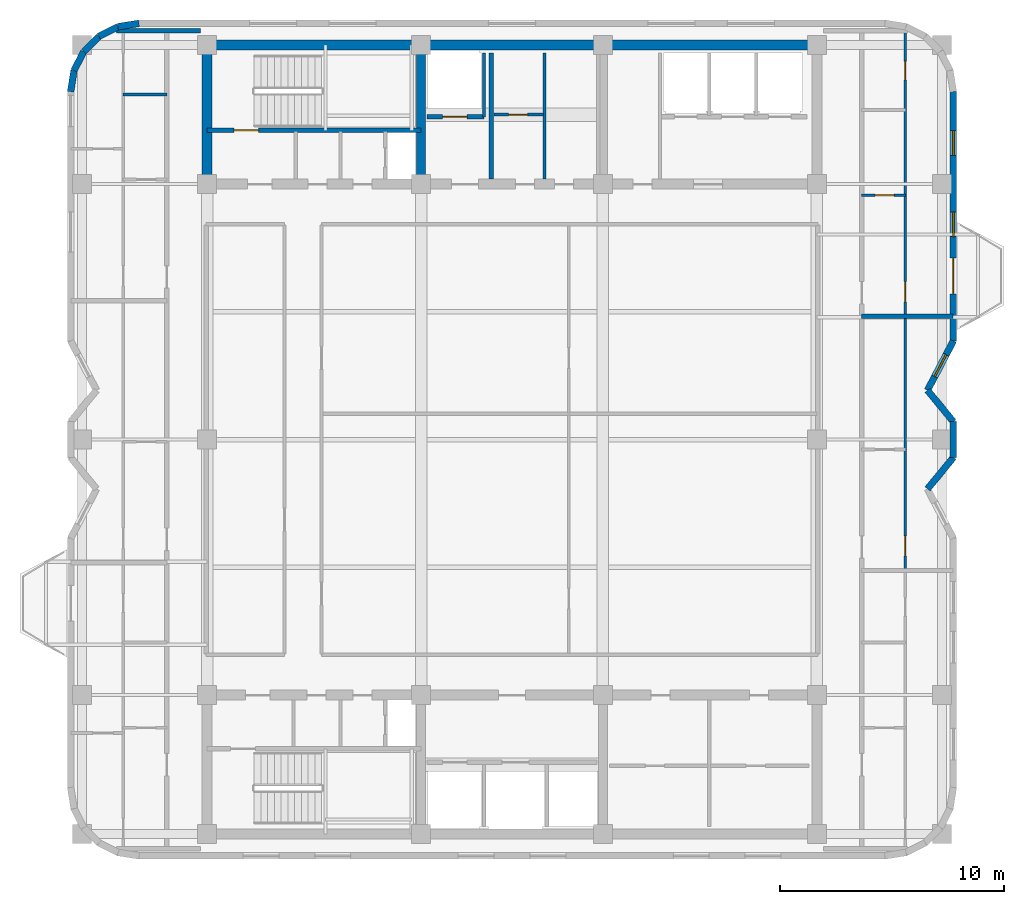
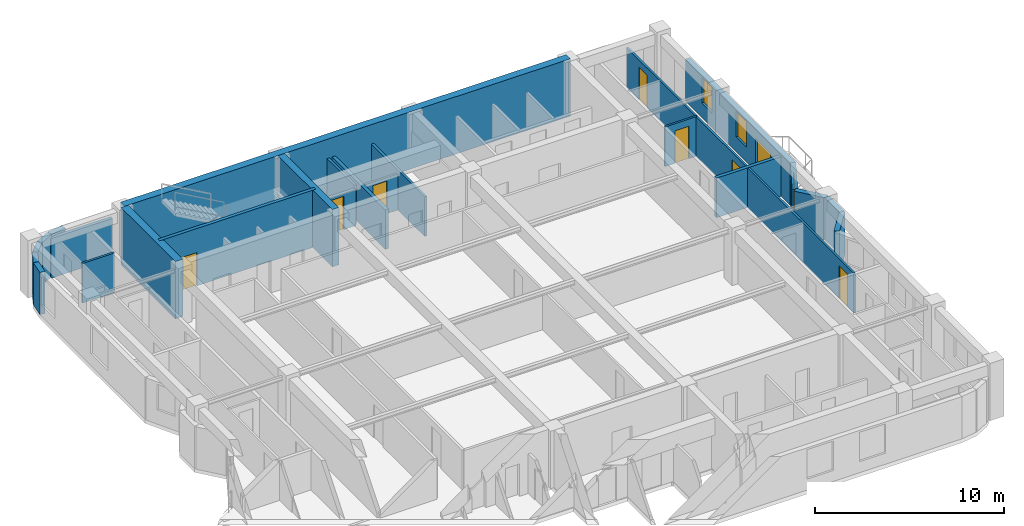
# One storey, part 6 of 9: 25 walls, 8 doors, 3 windows, 11 openings.
"""IFC4 building model written with IfcOpenShell, lengths in metres."""

from ifc_helpers import new_model, si_unit, direction, frame, frame_2d, origin, place, context, subcontext, project, spatial, rectangle, extrude, material, layer, layer_set, type_object, element, fill, save


model = new_model("IFC4")

# Units and contexts
model_context = context("Model", 3, precision=1e-05, world=origin(), true_north=direction((0.0, 1.0)))
body_context = subcontext(model_context, "Body", "Model", "MODEL_VIEW")
ifc_project = project(units=[si_unit("LENGTHUNIT", "METRE"), si_unit("AREAUNIT", "SQUARE_METRE"), si_unit("VOLUMEUNIT", "CUBIC_METRE"), si_unit("PLANEANGLEUNIT", "RADIAN"), si_unit("MASSUNIT", "GRAM", prefix="KILO")], contexts=[model_context])

# Site, building, storey
site_placement = place(None, origin())
site = spatial("IfcSite", under=ifc_project, at=site_placement, CompositionType="ELEMENT")
building_placement = place(site_placement, origin())
building = spatial("IfcBuilding", under=site, at=building_placement, Name="Svetorya Sky Lyceum", CompositionType="ELEMENT")
storey_placement = place(building_placement, frame((0.0, 0.0, 244.300048828125)))
storey = spatial("IfcBuildingStorey", under=building, at=storey_placement, Name="L61", CompositionType="ELEMENT", Elevation=244.300048828125)

# Walls
ifc_material_1 = material(Name="Concrete C40/50", Category="concrete")
ifc_layer_1 = layer(ifc_material_1, 0.39990234375)
ifc_layer_set_1 = layer_set([ifc_layer_1], Name="Concrete C40/50")
wall_type_1 = type_object("IfcWallType", Name="WL-CORE-400", PredefinedType="SHEAR", material=ifc_layer_set_1)
wall_1_placement = place(storey_placement, frame((35.14990234375, 39.824951171875, 0.0), z_axis=(0.0, 0.0, 1.0), x_axis=(0.0, 1.0, 0.0)))
element("IfcWall", 1, at=wall_1_placement, inside=storey, type_object=wall_type_1, Name="L61 NC Internal Shear Web WEB1", PredefinedType="SHEAR", context=body_context, shape_type="SweptSolid", body=[
    extrude(rectangle(XDim=5.75, YDim=0.39990234375, at=frame_2d((2.875, 0.0))), origin(), (0.0, 0.0, 1.0), 3.699951171875),
])
ifc_material_2 = material(Name="Concrete C50/60", Category="concrete")
ifc_layer_2 = layer(ifc_material_2, 0.449951171875)
ifc_layer_set_2 = layer_set([ifc_layer_2], Name="Concrete C50/60")
wall_type_2 = type_object("IfcWallType", Name="WL-CORE-450", PredefinedType="SHEAR", material=ifc_layer_set_2)
wall_2_placement = place(storey_placement, frame((25.60009765625, 45.800048828125, 0.0), z_axis=(0.0, 0.0, 1.0), x_axis=(1.0, 0.0, 0.0)))
element("IfcWall", 2, at=wall_2_placement, inside=storey, type_object=wall_type_2, Name="L61 NC Outer Core Shear Wall", PredefinedType="SHEAR", context=body_context, shape_type="SweptSolid", body=[
    extrude(rectangle(XDim=27.199951171875, YDim=0.449951171875, at=frame_2d((13.60009765625, 0.0))), origin(), (0.0, 0.0, 1.0), 3.699951171875),
])
wall_3_placement = place(storey_placement, frame((25.60009765625, 39.824951171875, 0.0), z_axis=(0.0, 0.0, 1.0), x_axis=(0.0, 1.0, 0.0)))
element("IfcWall", 3, at=wall_3_placement, inside=storey, type_object=wall_type_2, Name="L61 NC West Core Shear Wall", PredefinedType="SHEAR", context=body_context, shape_type="SweptSolid", body=[
    extrude(rectangle(XDim=5.75, YDim=0.449951171875, at=frame_2d((2.875, 0.0))), origin(), (0.0, 0.0, 1.0), 3.699951171875),
])
ifc_material_3 = material(Name="Putilovo limestone rainscreen on autoclaved cellular masonry", Category="masonry")
ifc_layer_3 = layer(ifc_material_3, 0.300048828125)
ifc_layer_set_3 = layer_set([ifc_layer_3], Name="Putilovo limestone rainscreen on autoclaved cellular masonry")
wall_type_3 = type_object("IfcWallType", Name="WL-EXT-300", PredefinedType="SOLIDWALL", material=ifc_layer_set_3)
wall_4_placement = place(storey_placement, frame((57.739990234375, 26.0, 0.0), z_axis=(0.0, 0.0, 1.0), x_axis=(0.634733675645, 0.772730975827, 0.0)))
element("IfcWall", 4, at=wall_4_placement, inside=storey, type_object=wall_type_3, Name="L61 Limestone Exterior Wall 14M", PredefinedType="SOLIDWALL", context=body_context, shape_type="SweptSolid", body=[
    extrude(rectangle(XDim=1.8115234375, YDim=0.300048828125, at=frame_2d((0.90576171875, 0.0))), origin(), (0.0, 0.0, 1.0), 2.72998046875),
])
wall_5_placement = place(storey_placement, frame((58.889892578125, 27.39990234375, 0.0), z_axis=(0.0, 0.0, 1.0), x_axis=(0.0, 1.0, 0.0)))
element("IfcWall", 5, at=wall_5_placement, inside=storey, type_object=wall_type_3, Name="L61 Limestone Exterior Wall 15M", PredefinedType="SOLIDWALL", context=body_context, shape_type="SweptSolid", body=[
    extrude(rectangle(XDim=1.60009765625, YDim=0.300048828125, at=frame_2d((0.800048828125, 0.0))), origin(), (0.0, 0.0, 1.0), 2.72998046875),
])
wall_6_placement = place(storey_placement, frame((58.889892578125, 29.0, 0.0), z_axis=(0.0, 0.0, 1.0), x_axis=(-0.634733675645, 0.772730975827, 0.0)))
element("IfcWall", 6, at=wall_6_placement, inside=storey, type_object=wall_type_3, Name="L61 Limestone Exterior Wall 16M", PredefinedType="SOLIDWALL", context=body_context, shape_type="SweptSolid", body=[
    extrude(rectangle(XDim=1.8115234375, YDim=0.300048828125, at=frame_2d((0.90576171875, 0.0))), origin(), (0.0, 0.0, 1.0), 2.72998046875),
])

# Wall, opening, window
wall_7_placement = place(storey_placement, frame((57.739990234375, 30.39990234375, 0.0), z_axis=(0.0, 0.0, 1.0), x_axis=(0.463191013929, 0.88625847506, 0.0)))
wall_7 = element("IfcWall", 7, at=wall_7_placement, inside=storey, type_object=wall_type_3, Name="L61 Limestone Exterior Wall 17M", PredefinedType="SOLIDWALL", context=body_context, shape_type="SweptSolid", body=[
    extrude(rectangle(XDim=2.482666015625, YDim=0.300048828125, at=frame_2d((1.2412109375, 0.0))), origin(), (0.0, 0.0, 1.0), 2.72998046875),
])
opening_1_placement = place(wall_7_placement, frame((0.691162109375, 0.0, 0.919921875)))
opening_1 = element("IfcOpeningElement", 8, at=opening_1_placement, cuts=wall_7, Name="Opening W-R3", PredefinedType="OPENING", context=body_context, shape_type="SweptSolid", body=[
    extrude(rectangle(XDim=1.10009765625, YDim=1.64990234375, at=frame_2d((0.550048828125, 0.824951171875))), frame((0.0, 0.159912109375, 0.0), z_axis=(0.0, -1.0, 0.0), x_axis=(1.0, 0.0, 0.0)), (0.0, 0.0, 1.0), 0.320068359375),
])
ifc_material_4 = material(Name="Thermally broken aluminium frame with triple low-E glazing", Category="aluminium")
window_type = type_object("IfcWindowType", Name="WN-RES-110", PartitioningType="SINGLE_PANEL", PredefinedType="WINDOW", material=ifc_material_4)
window_1_placement = place(opening_1_placement, origin())
window_1 = element("IfcWindow", 9, at=window_1_placement, inside=storey, type_object=window_type, Name="L61 Facade Window W-R3.17M.1", OverallHeight=1.64990234375, OverallWidth=1.10009765625, PartitioningType="SINGLE_PANEL", PredefinedType="WINDOW", context=body_context, shape_type="SweptSolid", body=[
    extrude(rectangle(XDim=1.10009765625, YDim=1.64990234375, at=frame_2d((0.550048828125, 0.824951171875))), frame((0.0, 0.030029296875, 0.0), z_axis=(0.0, -1.0, 0.0), x_axis=(1.0, 0.0, 0.0)), (0.0, 0.0, 1.0), 0.06005859375),
])
fill(opening_1, window_1)

# Wall, openings, door, windows
wall_8_placement = place(storey_placement, frame((58.889892578125, 32.60009765625, 0.0), z_axis=(0.0, 0.0, 1.0), x_axis=(0.0, 1.0, 0.0)))
wall_8 = element("IfcWall", 10, at=wall_8_placement, inside=storey, type_object=wall_type_3, Name="L61 Limestone Exterior Wall 18M", PredefinedType="SOLIDWALL", context=body_context, shape_type="SweptSolid", body=[
    extrude(rectangle(XDim=11.119873046875, YDim=0.300048828125, at=frame_2d((5.56005859375, 0.0))), origin(), (0.0, 0.0, 1.0), 2.72998046875),
])
opening_2_placement = place(wall_8_placement, frame((2.10009765625, 0.0, 0.0)))
opening_2 = element("IfcOpeningElement", 11, at=opening_2_placement, cuts=wall_8, Name="Opening D-BL1", PredefinedType="OPENING", context=body_context, shape_type="SweptSolid", body=[
    extrude(rectangle(XDim=1.60009765625, YDim=2.10009765625, at=frame_2d((0.800048828125, 1.050048828125))), frame((0.0, 0.159912109375, 0.0), z_axis=(0.0, -1.0, 0.0), x_axis=(1.0, 0.0, 0.0)), (0.0, 0.0, 1.0), 0.320068359375),
])
opening_3_placement = place(wall_8_placement, frame((4.659912109375, 0.0, 0.949951171875)))
opening_3 = element("IfcOpeningElement", 12, at=opening_3_placement, cuts=wall_8, Name="Opening W-R3", PredefinedType="OPENING", context=body_context, shape_type="SweptSolid", body=[
    extrude(rectangle(XDim=1.10009765625, YDim=1.64990234375, at=frame_2d((0.550048828125, 0.824951171875))), frame((0.0, 0.159912109375, 0.0), z_axis=(0.0, -1.0, 0.0), x_axis=(1.0, 0.0, 0.0)), (0.0, 0.0, 1.0), 0.320068359375),
])
opening_4_placement = place(wall_8_placement, frame((8.283203125, 0.0, 0.949951171875)))
opening_4 = element("IfcOpeningElement", 13, at=opening_4_placement, cuts=wall_8, Name="Opening W-R3", PredefinedType="OPENING", context=body_context, shape_type="SweptSolid", body=[
    extrude(rectangle(XDim=1.10009765625, YDim=1.64990234375, at=frame_2d((0.550048828125, 0.824951171875))), frame((0.0, 0.159912109375, 0.0), z_axis=(0.0, -1.0, 0.0), x_axis=(1.0, 0.0, 0.0)), (0.0, 0.0, 1.0), 0.320068359375),
])
ifc_material_5 = material(Name="Insulated glazed aluminium balcony door", Category="aluminium")
door_type_1 = type_object("IfcDoorType", Name="DR-BAL-1600", OperationType="DOUBLE_DOOR_SINGLE_SWING", PredefinedType="DOOR", material=ifc_material_5)
door_1_placement = place(opening_2_placement, origin())
door_1 = element("IfcDoor", 14, at=door_1_placement, inside=storey, type_object=door_type_1, Name="L61 Balcony BAL-E1 Door", OperationType="DOUBLE_DOOR_SINGLE_SWING", OverallHeight=2.10009765625, OverallWidth=1.60009765625, PredefinedType="DOOR", context=body_context, shape_type="SweptSolid", body=[
    extrude(rectangle(XDim=1.60009765625, YDim=2.10009765625, at=frame_2d((0.800048828125, 1.050048828125))), frame((0.0, 0.02490234375, 0.0), z_axis=(0.0, -1.0, 0.0), x_axis=(1.0, 0.0, 0.0)), (0.0, 0.0, 1.0), 0.050048828125),
])
fill(opening_2, door_1)
window_2_placement = place(opening_3_placement, origin())
window_2 = element("IfcWindow", 15, at=window_2_placement, inside=storey, type_object=window_type, Name="L61 Facade Window W-R3.18M.1", OverallHeight=1.64990234375, OverallWidth=1.10009765625, PartitioningType="SINGLE_PANEL", PredefinedType="WINDOW", context=body_context, shape_type="SweptSolid", body=[
    extrude(rectangle(XDim=1.10009765625, YDim=1.64990234375, at=frame_2d((0.550048828125, 0.824951171875))), frame((0.0, 0.030029296875, 0.0), z_axis=(0.0, -1.0, 0.0), x_axis=(1.0, 0.0, 0.0)), (0.0, 0.0, 1.0), 0.06005859375),
])
fill(opening_3, window_2)
window_3_placement = place(opening_4_placement, origin())
window_3 = element("IfcWindow", 16, at=window_3_placement, inside=storey, type_object=window_type, Name="L61 Facade Window W-R3.18M.2", OverallHeight=1.64990234375, OverallWidth=1.10009765625, PartitioningType="SINGLE_PANEL", PredefinedType="WINDOW", context=body_context, shape_type="SweptSolid", body=[
    extrude(rectangle(XDim=1.10009765625, YDim=1.64990234375, at=frame_2d((0.550048828125, 0.824951171875))), frame((0.0, 0.030029296875, 0.0), z_axis=(0.0, -1.0, 0.0), x_axis=(1.0, 0.0, 0.0)), (0.0, 0.0, 1.0), 0.06005859375),
])
fill(opening_4, window_3)

# Walls
wall_9_placement = place(storey_placement, frame((22.56005859375, 46.77001953125, 0.0), z_axis=(0.0, 0.0, 1.0), x_axis=(-0.987669453596, -0.156553666304, 0.0)))
element("IfcWall", 17, at=wall_9_placement, inside=storey, type_object=wall_type_3, Name="L61 Limestone Exterior Wall 25M", PredefinedType="SOLIDWALL", context=body_context, shape_type="SweptSolid", body=[
    extrude(rectangle(XDim=0.954345703125, YDim=0.300048828125, at=frame_2d((0.47705078125, 0.0))), origin(), (0.0, 0.0, 1.0), 2.72998046875),
])
wall_10_placement = place(storey_placement, frame((21.617431640625, 46.62060546875, 0.0), z_axis=(0.0, 0.0, 1.0), x_axis=(-0.891023873617, -0.45395644796, 0.0)))
element("IfcWall", 18, at=wall_10_placement, inside=storey, type_object=wall_type_3, Name="L61 Limestone Exterior Wall 26M", PredefinedType="SOLIDWALL", context=body_context, shape_type="SweptSolid", body=[
    extrude(rectangle(XDim=0.9541015625, YDim=0.300048828125, at=frame_2d((0.47705078125, 0.0))), origin(), (0.0, 0.0, 1.0), 2.72998046875),
])
wall_11_placement = place(storey_placement, frame((20.767333984375, 46.1875, 0.0), z_axis=(0.0, 0.0, 1.0), x_axis=(-0.707106781187, -0.707106781187, 0.0)))
element("IfcWall", 19, at=wall_11_placement, inside=storey, type_object=wall_type_3, Name="L61 Limestone Exterior Wall 27M", PredefinedType="SOLIDWALL", context=body_context, shape_type="SweptSolid", body=[
    extrude(rectangle(XDim=0.954345703125, YDim=0.300048828125, at=frame_2d((0.47705078125, 0.0))), origin(), (0.0, 0.0, 1.0), 2.72998046875),
])
wall_12_placement = place(storey_placement, frame((20.092529296875, 45.5126953125, 0.0), z_axis=(0.0, 0.0, 1.0), x_axis=(-0.454159573051, -0.890920356825, 0.0)))
element("IfcWall", 20, at=wall_12_placement, inside=storey, type_object=wall_type_3, Name="L61 Limestone Exterior Wall 28M", PredefinedType="SOLIDWALL", context=body_context, shape_type="SweptSolid", body=[
    extrude(rectangle(XDim=0.9541015625, YDim=0.300048828125, at=frame_2d((0.47705078125, 0.0))), origin(), (0.0, 0.0, 1.0), 2.72998046875),
])
wall_13_placement = place(storey_placement, frame((19.6591796875, 44.66259765625, 0.0), z_axis=(0.0, 0.0, 1.0), x_axis=(-0.156304114255, -0.987708977314, 0.0)))
element("IfcWall", 21, at=wall_13_placement, inside=storey, type_object=wall_type_3, Name="L61 Limestone Exterior Wall 29M", PredefinedType="SOLIDWALL", context=body_context, shape_type="SweptSolid", body=[
    extrude(rectangle(XDim=0.954345703125, YDim=0.300048828125, at=frame_2d((0.47705078125, 0.0))), origin(), (0.0, 0.0, 1.0), 2.72998046875),
])

# Wall, opening, door
ifc_material_6 = material(Name="Twin-stud galvanized framing with double fireboard", Category="gypsum")
ifc_layer_4 = layer(ifc_material_6, 0.1201171875)
ifc_layer_set_4 = layer_set([ifc_layer_4], Name="Twin-stud galvanized framing with double fireboard")
wall_type_4 = type_object("IfcWallType", Name="WL-PART-120", PredefinedType="PARTITIONING", material=ifc_layer_set_4)
wall_14_placement = place(storey_placement, frame((38.39990234375, 42.699951171875, 0.0), z_axis=(0.0, 0.0, 1.0), x_axis=(1.0, 0.0, 0.0)))
wall_14 = element("IfcWall", 22, at=wall_14_placement, inside=storey, type_object=wall_type_4, Name="L61 Interior Partition NC-FPM-H", PredefinedType="PARTITIONING", context=body_context, shape_type="SweptSolid", body=[
    extrude(rectangle(XDim=2.2001953125, YDim=0.1201171875, at=frame_2d((1.10009765625, 0.0))), origin(), (0.0, 0.0, 1.0), 2.329833984375),
])
opening_5_placement = place(wall_14_placement, frame((0.64990234375, 0.0, 0.0)))
opening_5 = element("IfcOpeningElement", 23, at=opening_5_placement, cuts=wall_14, Name="Opening D-CWC1", PredefinedType="OPENING", context=body_context, shape_type="SweptSolid", body=[
    extrude(rectangle(XDim=0.85009765625, YDim=2.10009765625, at=frame_2d((0.425048828125, 1.050048828125))), frame((0.0, 0.070068359375, 0.0), z_axis=(0.0, -1.0, 0.0), x_axis=(1.0, 0.0, 0.0)), (0.0, 0.0, 1.0), 0.14013671875),
])
ifc_material_7 = material(Name="Fire-rated galvanized steel core service closet door", Category="steel")
door_type_2 = type_object("IfcDoorType", Name="DR-CWET-850", OperationType="SINGLE_SWING_LEFT", PredefinedType="DOOR", material=ifc_material_7)
door_2_placement = place(opening_5_placement, origin())
door_2 = element("IfcDoor", 24, at=door_2_placement, inside=storey, type_object=door_type_2, Name="L61 Rear IT Closet Door", OperationType="SINGLE_SWING_LEFT", OverallHeight=2.10009765625, OverallWidth=0.85009765625, PredefinedType="DOOR", context=body_context, shape_type="SweptSolid", body=[
    extrude(rectangle(XDim=0.85009765625, YDim=2.10009765625, at=frame_2d((0.425048828125, 1.050048828125))), frame((0.0, 0.02490234375, 0.0), z_axis=(0.0, -1.0, 0.0), x_axis=(1.0, 0.0, 0.0)), (0.0, 0.0, 1.0), 0.050048828125),
])
fill(opening_5, door_2)

wall_15_placement = place(storey_placement, frame((56.75, 22.39990234375, 0.0), z_axis=(0.0, 0.0, 1.0), x_axis=(0.0, 1.0, 0.0)))
wall_15 = element("IfcWall", 25, at=wall_15_placement, inside=storey, type_object=wall_type_4, Name="L61 Interior Partition E2-WV", PredefinedType="PARTITIONING", context=body_context, shape_type="SweptSolid", body=[
    extrude(rectangle(XDim=11.260009765625, YDim=0.1201171875, at=frame_2d((5.6298828125, 0.0))), origin(), (0.0, 0.0, 1.0), 2.56005859375),
])
opening_6_placement = place(wall_15_placement, frame((0.610107421875, 0.0, 0.0)))
opening_6 = element("IfcOpeningElement", 26, at=opening_6_placement, cuts=wall_15, Name="Opening D-RM1", PredefinedType="OPENING", context=body_context, shape_type="SweptSolid", body=[
    extrude(rectangle(XDim=0.89990234375, YDim=2.10009765625, at=frame_2d((0.449951171875, 1.050048828125))), frame((0.0, 0.070068359375, 0.0), z_axis=(0.0, -1.0, 0.0), x_axis=(1.0, 0.0, 0.0)), (0.0, 0.0, 1.0), 0.14013671875),
])
ifc_material_8 = material(Name="Lacquered birch veneer internal door")
door_type_3 = type_object("IfcDoorType", Name="DR-INT-900", OperationType="SINGLE_SWING_LEFT", PredefinedType="DOOR", material=ifc_material_8)
door_3_placement = place(opening_6_placement, origin())
door_3 = element("IfcDoor", 27, at=door_3_placement, inside=storey, type_object=door_type_3, Name="Apartment E2 Living Door", OperationType="SINGLE_SWING_RIGHT", OverallHeight=2.10009765625, OverallWidth=0.89990234375, PredefinedType="DOOR", context=body_context, shape_type="SweptSolid", body=[
    extrude(rectangle(XDim=0.89990234375, YDim=2.10009765625, at=frame_2d((0.449951171875, 1.050048828125))), frame((0.0, 0.02490234375, 0.0), z_axis=(0.0, -1.0, 0.0), x_axis=(1.0, 0.0, 0.0)), (0.0, 0.0, 1.0), 0.050048828125),
])
fill(opening_6, door_3)

wall_16_placement = place(storey_placement, frame((54.800048828125, 39.10009765625, 0.0), z_axis=(0.0, 0.0, 1.0), x_axis=(1.0, 0.0, 0.0)))
wall_16 = element("IfcWall", 28, at=wall_16_placement, inside=storey, type_object=wall_type_4, Name="L61 Interior Partition E3-WH1", PredefinedType="PARTITIONING", context=body_context, shape_type="SweptSolid", body=[
    extrude(rectangle(XDim=1.949951171875, YDim=0.1201171875, at=frame_2d((0.97509765625, 0.0))), origin(), (0.0, 0.0, 1.0), 2.56005859375),
])
opening_7_placement = place(wall_16_placement, frame((0.60009765625, 0.0, 0.0)))
opening_7 = element("IfcOpeningElement", 29, at=opening_7_placement, cuts=wall_16, Name="Opening D-BT1", PredefinedType="OPENING", context=body_context, shape_type="SweptSolid", body=[
    extrude(rectangle(XDim=0.85009765625, YDim=2.10009765625, at=frame_2d((0.425048828125, 1.050048828125))), frame((0.0, 0.070068359375, 0.0), z_axis=(0.0, -1.0, 0.0), x_axis=(1.0, 0.0, 0.0)), (0.0, 0.0, 1.0), 0.14013671875),
])
ifc_material_9 = material(Name="Moisture-resistant laminate bathroom door")
door_type_4 = type_object("IfcDoorType", Name="DR-WET-850", OperationType="SINGLE_SWING_LEFT", PredefinedType="DOOR", material=ifc_material_9)
door_4_placement = place(opening_7_placement, origin())
door_4 = element("IfcDoor", 30, at=door_4_placement, inside=storey, type_object=door_type_4, Name="Apartment E3 Bathroom Door", OperationType="SINGLE_SWING_RIGHT", OverallHeight=2.10009765625, OverallWidth=0.85009765625, PredefinedType="DOOR", context=body_context, shape_type="SweptSolid", body=[
    extrude(rectangle(XDim=0.85009765625, YDim=2.10009765625, at=frame_2d((0.425048828125, 1.050048828125))), frame((0.0, 0.02490234375, 0.0), z_axis=(0.0, -1.0, 0.0), x_axis=(1.0, 0.0, 0.0)), (0.0, 0.0, 1.0), 0.050048828125),
])
fill(opening_7, door_4)

# Wall, openings, doors
wall_17_placement = place(storey_placement, frame((56.75, 33.739990234375, 0.0), z_axis=(0.0, 0.0, 1.0), x_axis=(0.0, 1.0, 0.0)))
wall_17 = element("IfcWall", 31, at=wall_17_placement, inside=storey, type_object=wall_type_4, Name="L61 Interior Partition E3-WV", PredefinedType="PARTITIONING", context=body_context, shape_type="SweptSolid", body=[
    extrude(rectangle(XDim=12.669921875, YDim=0.1201171875, at=frame_2d((6.3349609375, 0.0))), origin(), (0.0, 0.0, 1.0), 2.56005859375),
])
opening_8_placement = place(wall_17_placement, frame((0.610107421875, 0.0, 0.0)))
opening_8 = element("IfcOpeningElement", 32, at=opening_8_placement, cuts=wall_17, Name="Opening D-RM1", PredefinedType="OPENING", context=body_context, shape_type="SweptSolid", body=[
    extrude(rectangle(XDim=0.89990234375, YDim=2.10009765625, at=frame_2d((0.449951171875, 1.050048828125))), frame((0.0, 0.070068359375, 0.0), z_axis=(0.0, -1.0, 0.0), x_axis=(1.0, 0.0, 0.0)), (0.0, 0.0, 1.0), 0.14013671875),
])
opening_9_placement = place(wall_17_placement, frame((10.510009765625, 0.0, 0.0)))
opening_9 = element("IfcOpeningElement", 33, at=opening_9_placement, cuts=wall_17, Name="Opening D-BT2", PredefinedType="OPENING", context=body_context, shape_type="SweptSolid", body=[
    extrude(rectangle(XDim=0.820068359375, YDim=2.080078125, at=frame_2d((0.41015625, 1.0400390625))), frame((0.0, 0.070068359375, 0.0), z_axis=(0.0, -1.0, 0.0), x_axis=(1.0, 0.0, 0.0)), (0.0, 0.0, 1.0), 0.14013671875),
])
door_5_placement = place(opening_8_placement, origin())
door_5 = element("IfcDoor", 34, at=door_5_placement, inside=storey, type_object=door_type_3, Name="Apartment E3 Living Door", OperationType="SINGLE_SWING_LEFT", OverallHeight=2.10009765625, OverallWidth=0.89990234375, PredefinedType="DOOR", context=body_context, shape_type="SweptSolid", body=[
    extrude(rectangle(XDim=0.89990234375, YDim=2.10009765625, at=frame_2d((0.449951171875, 1.050048828125))), frame((0.0, 0.02490234375, 0.0), z_axis=(0.0, -1.0, 0.0), x_axis=(1.0, 0.0, 0.0)), (0.0, 0.0, 1.0), 0.050048828125),
])
fill(opening_8, door_5)
ifc_material_10 = material(Name="Compact moisture-resistant laminate closet door")
door_type_5 = type_object("IfcDoorType", Name="DR-WET-820", OperationType="SINGLE_SWING_LEFT", PredefinedType="DOOR", material=ifc_material_10)
door_6_placement = place(opening_9_placement, origin())
door_6 = element("IfcDoor", 35, at=door_6_placement, inside=storey, type_object=door_type_5, Name="Apartment E3 Study Door", OperationType="SINGLE_SWING_RIGHT", OverallHeight=2.080078125, OverallWidth=0.820068359375, PredefinedType="DOOR", context=body_context, shape_type="SweptSolid", body=[
    extrude(rectangle(XDim=0.820068359375, YDim=2.080078125, at=frame_2d((0.41015625, 1.0400390625))), frame((0.0, 0.02490234375, 0.0), z_axis=(0.0, -1.0, 0.0), x_axis=(1.0, 0.0, 0.0)), (0.0, 0.0, 1.0), 0.050048828125),
])
fill(opening_9, door_6)

# Walls
ifc_material_11 = material(Name="Twin-stud galvanized framing with acoustic board", Category="gypsum")
ifc_layer_5 = layer(ifc_material_11, 0.135009765625)
ifc_layer_set_5 = layer_set([ifc_layer_5], Name="Twin-stud galvanized framing with acoustic board")
wall_type_5 = type_object("IfcWallType", Name="WL-PART-135", PredefinedType="PARTITIONING", material=ifc_layer_set_5)
wall_18_placement = place(storey_placement, frame((21.85009765625, 43.60498046875, 0.0), z_axis=(0.0, 0.0, 1.0), x_axis=(1.0, 0.0, 0.0)))
element("IfcWall", 36, at=wall_18_placement, inside=storey, type_object=wall_type_5, Name="L61 Interior Partition W3-WH2", PredefinedType="PARTITIONING", context=body_context, shape_type="SweptSolid", body=[
    extrude(rectangle(XDim=1.949951171875, YDim=0.135009765625, at=frame_2d((0.97509765625, 0.0))), origin(), (0.0, 0.0, 1.0), 2.56005859375),
])
ifc_material_12 = material(Name="Autoclaved cellular masonry blockwork with acoustic render", Category="masonry")
ifc_layer_6 = layer(ifc_material_12, 0.14990234375)
ifc_layer_set_6 = layer_set([ifc_layer_6], Name="Autoclaved cellular masonry blockwork with acoustic render")
wall_type_6 = type_object("IfcWallType", Name="WL-PART-150", PredefinedType="PARTITIONING", material=ifc_layer_set_6)
wall_19_placement = place(storey_placement, frame((37.949951171875, 42.60009765625, 0.0), z_axis=(0.0, 0.0, 1.0), x_axis=(0.0, 1.0, 0.0)))
element("IfcWall", 37, at=wall_19_placement, inside=storey, type_object=wall_type_6, Name="L61 Interior Partition NC-FL1SIDE", PredefinedType="PARTITIONING", context=body_context, shape_type="SweptSolid", body=[
    extrude(rectangle(XDim=2.849853515625, YDim=0.14990234375, at=frame_2d((1.4248046875, 0.0))), origin(), (0.0, 0.0, 1.0), 2.56005859375),
])
wall_20_placement = place(storey_placement, frame((40.64990234375, 39.820068359375, 0.0), z_axis=(0.0, 0.0, 1.0), x_axis=(0.0, 1.0, 0.0)))
element("IfcWall", 38, at=wall_20_placement, inside=storey, type_object=wall_type_6, Name="L61 Interior Partition NC-FPM-V", PredefinedType="PARTITIONING", context=body_context, shape_type="SweptSolid", body=[
    extrude(rectangle(XDim=5.6298828125, YDim=0.14990234375, at=frame_2d((2.81494140625, 0.0))), origin(), (0.0, 0.0, 1.0), 2.56005859375),
])

# Wall, opening, door
ifc_material_13 = material(Name="Autoclaved cellular masonry blockwork with gypsum plaster", Category="masonry")
ifc_layer_7 = layer(ifc_material_13, 0.199951171875)
ifc_layer_set_7 = layer_set([ifc_layer_7], Name="Autoclaved cellular masonry blockwork with gypsum plaster")
wall_type_7 = type_object("IfcWallType", Name="WL-PART-200", PredefinedType="PARTITIONING", material=ifc_layer_set_7)
wall_21_placement = place(storey_placement, frame((37.949951171875, 42.60009765625, 0.0), z_axis=(0.0, 0.0, 1.0), x_axis=(-1.0, 0.0, 0.0)))
wall_21 = element("IfcWall", 39, at=wall_21_placement, inside=storey, type_object=wall_type_7, Name="L61 Interior Partition NC-FL1W", PredefinedType="PARTITIONING", context=body_context, shape_type="SweptSolid", body=[
    extrude(rectangle(XDim=2.550048828125, YDim=0.199951171875, at=frame_2d((1.27490234375, 0.0))), origin(), (0.0, 0.0, 1.0), 2.329833984375),
])
opening_10_placement = place(wall_21_placement, frame((0.75, 0.0, 0.0)))
opening_10 = element("IfcOpeningElement", 40, at=opening_10_placement, cuts=wall_21, Name="Opening LD-FL", PredefinedType="OPENING", context=body_context, shape_type="SweptSolid", body=[
    extrude(rectangle(XDim=1.10009765625, YDim=2.14990234375, at=frame_2d((0.550048828125, 1.074951171875))), frame((0.0, 0.10986328125, 0.0), z_axis=(0.0, -1.0, 0.0), x_axis=(1.0, 0.0, 0.0)), (0.0, 0.0, 1.0), 0.219970703125),
])
ifc_material_14 = material(Name="Fire-rated stainless AISI 304 firefighting lift landing door")
door_type_6 = type_object("IfcDoorType", Name="DR-LIFT-1100", OperationType="SLIDING_TO_LEFT", PredefinedType="DOOR", material=ifc_material_14)
door_7_placement = place(opening_10_placement, origin())
door_7 = element("IfcDoor", 41, at=door_7_placement, inside=storey, type_object=door_type_6, Name="L61 Firefighting Lift FL1 Landing Door", OperationType="SLIDING_TO_LEFT", OverallHeight=2.14990234375, OverallWidth=1.10009765625, PredefinedType="DOOR", context=body_context, shape_type="SweptSolid", body=[
    extrude(rectangle(XDim=1.10009765625, YDim=2.14990234375, at=frame_2d((0.550048828125, 1.074951171875))), frame((0.0, 0.02490234375, 0.0), z_axis=(0.0, -1.0, 0.0), x_axis=(1.0, 0.0, 0.0)), (0.0, 0.0, 1.0), 0.050048828125),
])
fill(opening_10, door_7)

# Walls
wall_22_placement = place(storey_placement, frame((38.280029296875, 39.820068359375, 0.0), z_axis=(0.0, 0.0, 1.0), x_axis=(0.0, 1.0, 0.0)))
element("IfcWall", 42, at=wall_22_placement, inside=storey, type_object=wall_type_7, Name="L61 Interior Partition NC-FFLDIV", PredefinedType="PARTITIONING", context=body_context, shape_type="SweptSolid", body=[
    extrude(rectangle(XDim=5.6298828125, YDim=0.199951171875, at=frame_2d((2.81494140625, 0.0))), origin(), (0.0, 0.0, 1.0), 2.56005859375),
])
wall_23_placement = place(storey_placement, frame((21.5458984375, 46.449951171875, 0.0), z_axis=(0.0, 0.0, 1.0), x_axis=(1.0, 0.0, 0.0)))
element("IfcWall", 43, at=wall_23_placement, inside=storey, type_object=wall_type_7, Name="L61 Interior Partition W-CAP-N", PredefinedType="PARTITIONING", context=body_context, shape_type="SweptSolid", body=[
    extrude(rectangle(XDim=3.754150390625, YDim=0.199951171875, at=frame_2d((1.876953125, 0.0))), origin(), (0.0, 0.0, 1.0), 2.56005859375),
])
wall_24_placement = place(storey_placement, frame((54.800048828125, 33.699951171875, 0.0), z_axis=(0.0, 0.0, 1.0), x_axis=(1.0, 0.0, 0.0)))
element("IfcWall", 44, at=wall_24_placement, inside=storey, type_object=wall_type_7, Name="L61 Interior Partition E-PARTY-2", PredefinedType="PARTITIONING", context=body_context, shape_type="SweptSolid", body=[
    extrude(rectangle(XDim=4.070068359375, YDim=0.199951171875, at=frame_2d((2.03515625, 0.0))), origin(), (0.0, 0.0, 1.0), 2.56005859375),
])

# Wall, opening, door
ifc_layer_8 = layer(ifc_material_2, 0.199951171875)
ifc_layer_set_8 = layer_set([ifc_layer_8], Name="Concrete C50/60")
wall_type_8 = type_object("IfcWallType", Name="WL-SHW-200", PredefinedType="SHEAR", material=ifc_layer_set_8)
wall_25_placement = place(storey_placement, frame((35.14990234375, 42.0, 0.0), z_axis=(0.0, 0.0, 1.0), x_axis=(-1.0, 0.0, 0.0)))
wall_25 = element("IfcWall", 45, at=wall_25_placement, inside=storey, type_object=wall_type_8, Name="L61 Structural Stair Shaft Wall NC-STW", PredefinedType="SHEAR", context=body_context, shape_type="SweptSolid", body=[
    extrude(rectangle(XDim=9.5498046875, YDim=0.199951171875, at=frame_2d((4.77490234375, 0.0))), origin(), (0.0, 0.0, 1.0), 3.699951171875),
])
opening_11_placement = place(wall_25_placement, frame((7.25, 0.0, 0.0)))
opening_11 = element("IfcOpeningElement", 46, at=opening_11_placement, cuts=wall_25, Name="Opening D-ST1", PredefinedType="OPENING", context=body_context, shape_type="SweptSolid", body=[
    extrude(rectangle(XDim=1.10009765625, YDim=2.14990234375, at=frame_2d((0.550048828125, 1.074951171875))), frame((0.0, 0.10986328125, 0.0), z_axis=(0.0, -1.0, 0.0), x_axis=(1.0, 0.0, 0.0)), (0.0, 0.0, 1.0), 0.219970703125),
])
ifc_material_15 = material(Name="Powder-coated insulated galvanized stair fire door")
door_type_7 = type_object("IfcDoorType", Name="DR-FIRE-1100", OperationType="SINGLE_SWING_LEFT", PredefinedType="DOOR", material=ifc_material_15)
door_8_placement = place(opening_11_placement, origin())
door_8 = element("IfcDoor", 47, at=door_8_placement, inside=storey, type_object=door_type_7, Name="L61 Stair ST-N Vestibule Fire Door", OperationType="SINGLE_SWING_RIGHT", OverallHeight=2.14990234375, OverallWidth=1.10009765625, PredefinedType="DOOR", context=body_context, shape_type="SweptSolid", body=[
    extrude(rectangle(XDim=1.10009765625, YDim=2.14990234375, at=frame_2d((0.550048828125, 1.074951171875))), frame((0.0, 0.02490234375, 0.0), z_axis=(0.0, -1.0, 0.0), x_axis=(1.0, 0.0, 0.0)), (0.0, 0.0, 1.0), 0.050048828125),
])
fill(opening_11, door_8)

save(model, "model.ifc")
